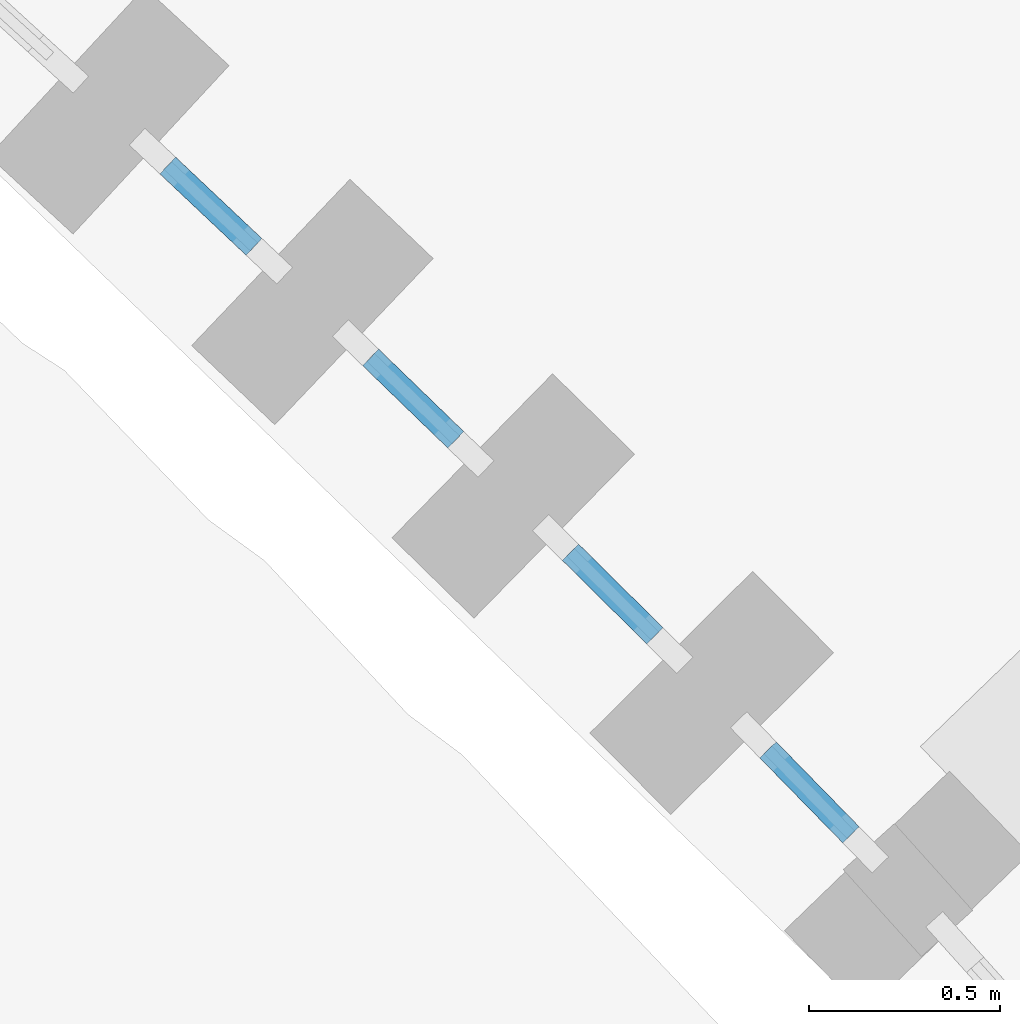
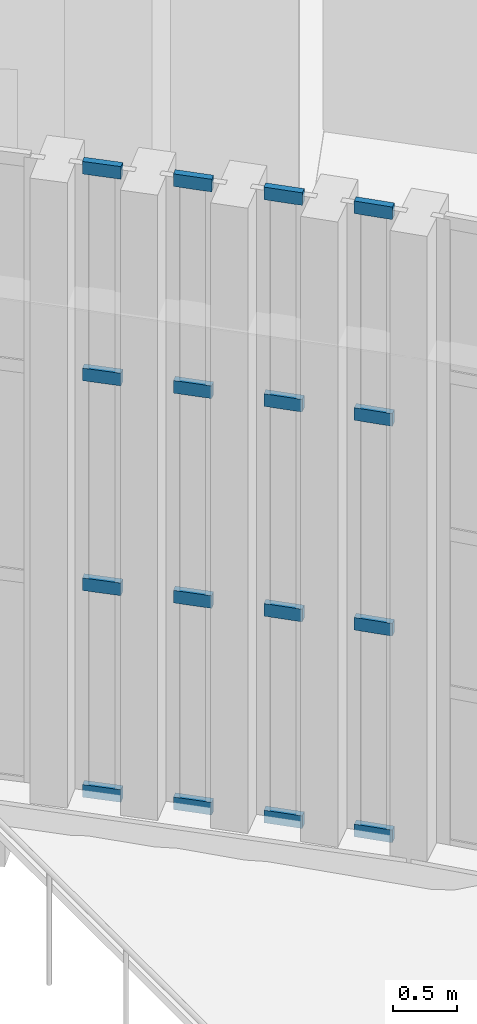
# One storey, part 65 of 155: 16 members, 4 elements without a shape of their own.
"""IFC4 building model written with IfcOpenShell, lengths in metres."""

from ifc_helpers import new_model, si_unit, direction, frame, origin, origin_2d, place, context, subcontext, project, spatial, rectangle, extrude, material, layer, layer_set, material_profile, profile_set, type_object, element, aggregate, save


model = new_model("IFC4")

# Units and contexts
model_context = context("Model", 3, precision=1e-05, world=origin(), true_north=direction((0.0, 1.0)))
body_context = subcontext(model_context, "Body", "Model", "MODEL_VIEW")
ifc_project = project(units=[si_unit("LENGTHUNIT", "METRE"), si_unit("AREAUNIT", "SQUARE_METRE"), si_unit("VOLUMEUNIT", "CUBIC_METRE"), si_unit("PLANEANGLEUNIT", "RADIAN"), si_unit("MASSUNIT", "GRAM", prefix="KILO")], contexts=[model_context])

# Site, building, storey
site_placement = place(None, origin())
site = spatial("IfcSite", under=ifc_project, at=site_placement, CompositionType="ELEMENT")
building_placement = place(site_placement, origin())
building = spatial("IfcBuilding", under=site, at=building_placement, Name="Lunette Opera House", CompositionType="ELEMENT")
storey_placement = place(building_placement, origin())
storey = spatial("IfcBuildingStorey", under=building, at=storey_placement, Name="L00", CompositionType="ELEMENT", Elevation=0.0)

# Curtain wall, members
ifc_material_1 = material(Name="Aluminium", Category="aluminium")
ifc_layer = layer(ifc_material_1, 0.1201171875)
ifc_layer_set = layer_set([ifc_layer], Name="Aluminium")
curtain_wall_type = type_object("IfcCurtainWallType", Name="SLOT CURTAIN WALL", PredefinedType="NOTDEFINED", material=ifc_layer_set)
curtain_wall_1_placement = place(storey_placement, origin())
curtain_wall_1 = element("IfcCurtainWall", 1, at=curtain_wall_1_placement, inside=storey, type_object=curtain_wall_type, Name="Slot Curtain Wall CS077 L00", PredefinedType="NOTDEFINED")
ifc_material_2 = material(Name="Aluminium", Category="aluminium")
ifc_material_profile = material_profile(ifc_material_2, rectangle(XDim=0.06005859375, YDim=0.1201171875, at=origin_2d()), Name="TRANSOM 60 X 120")
ifc_profile_set = profile_set([ifc_material_profile], Name="Aluminium")
member_type = type_object("IfcMemberType", Name="TRANSOM 60 X 120", PredefinedType="USERDEFINED", material=ifc_profile_set)
member_1_placement = place(storey_placement, frame((131.688720703125, 38.23095703125, 0.030029296875), z_axis=(0.727275036379, -0.686346138228, 0.0), x_axis=(0.686346138228, 0.727275036379, 0.0)))
member_1 = element("IfcMember", 2, at=member_1_placement, type_object=member_type, Name="FC-X2153 transom 1.1", ObjectType="TRANSOM", PredefinedType="USERDEFINED", context=body_context, shape_type="SweptSolid", body=[
    extrude(rectangle(XDim=0.06005859375, YDim=0.1201171875, at=origin_2d()), origin(), (0.0, 0.0, 1.0), 0.31005859375),
])
member_2_placement = place(storey_placement, frame((131.688720703125, 38.23095703125, 2.0), z_axis=(0.727275036379, -0.686346138228, 0.0), x_axis=(0.686346138228, 0.727275036379, 0.0)))
member_2 = element("IfcMember", 3, at=member_2_placement, type_object=member_type, Name="FC-X2153 transom 1.2", ObjectType="TRANSOM", PredefinedType="USERDEFINED", context=body_context, shape_type="SweptSolid", body=[
    extrude(rectangle(XDim=0.06005859375, YDim=0.1201171875, at=origin_2d()), origin(), (0.0, 0.0, 1.0), 0.31005859375),
])
member_3_placement = place(storey_placement, frame((131.688720703125, 38.23095703125, 4.0), z_axis=(0.727275036379, -0.686346138228, 0.0), x_axis=(0.686346138228, 0.727275036379, 0.0)))
member_3 = element("IfcMember", 4, at=member_3_placement, type_object=member_type, Name="FC-X2153 transom 1.3", ObjectType="TRANSOM", PredefinedType="USERDEFINED", context=body_context, shape_type="SweptSolid", body=[
    extrude(rectangle(XDim=0.06005859375, YDim=0.1201171875, at=origin_2d()), origin(), (0.0, 0.0, 1.0), 0.31005859375),
])
member_4_placement = place(storey_placement, frame((131.688720703125, 38.23095703125, 5.969970703125), z_axis=(0.727275036379, -0.686346138228, 0.0), x_axis=(0.686346138228, 0.727275036379, 0.0)))
member_4 = element("IfcMember", 5, at=member_4_placement, type_object=member_type, Name="FC-X2153 transom 1.4", ObjectType="TRANSOM", PredefinedType="USERDEFINED", context=body_context, shape_type="SweptSolid", body=[
    extrude(rectangle(XDim=0.06005859375, YDim=0.1201171875, at=origin_2d()), origin(), (0.0, 0.0, 1.0), 0.31005859375),
])
aggregate(curtain_wall_1, [member_1, member_2, member_3, member_4])

curtain_wall_2_placement = place(storey_placement, origin())
curtain_wall_2 = element("IfcCurtainWall", 6, at=curtain_wall_2_placement, inside=storey, type_object=curtain_wall_type, Name="Slot Curtain Wall CS078 L00", PredefinedType="NOTDEFINED")
member_5_placement = place(storey_placement, frame((132.21923828125, 37.729248046875, 0.030029296875), z_axis=(0.71843703481, -0.695591997519, 0.0), x_axis=(0.695591997519, 0.71843703481, 0.0)))
member_5 = element("IfcMember", 7, at=member_5_placement, type_object=member_type, Name="FC-X2155 transom 1.1", ObjectType="TRANSOM", PredefinedType="USERDEFINED", context=body_context, shape_type="SweptSolid", body=[
    extrude(rectangle(XDim=0.06005859375, YDim=0.1201171875, at=origin_2d()), origin(), (0.0, 0.0, 1.0), 0.309814453125),
])
member_6_placement = place(storey_placement, frame((132.21923828125, 37.729248046875, 2.0), z_axis=(0.71843703481, -0.695591997519, 0.0), x_axis=(0.695591997519, 0.71843703481, 0.0)))
member_6 = element("IfcMember", 8, at=member_6_placement, type_object=member_type, Name="FC-X2155 transom 1.2", ObjectType="TRANSOM", PredefinedType="USERDEFINED", context=body_context, shape_type="SweptSolid", body=[
    extrude(rectangle(XDim=0.06005859375, YDim=0.1201171875, at=origin_2d()), origin(), (0.0, 0.0, 1.0), 0.309814453125),
])
member_7_placement = place(storey_placement, frame((132.21923828125, 37.729248046875, 4.0), z_axis=(0.71843703481, -0.695591997519, 0.0), x_axis=(0.695591997519, 0.71843703481, 0.0)))
member_7 = element("IfcMember", 9, at=member_7_placement, type_object=member_type, Name="FC-X2155 transom 1.3", ObjectType="TRANSOM", PredefinedType="USERDEFINED", context=body_context, shape_type="SweptSolid", body=[
    extrude(rectangle(XDim=0.06005859375, YDim=0.1201171875, at=origin_2d()), origin(), (0.0, 0.0, 1.0), 0.309814453125),
])
member_8_placement = place(storey_placement, frame((132.21923828125, 37.729248046875, 5.969970703125), z_axis=(0.71843703481, -0.695591997519, 0.0), x_axis=(0.695591997519, 0.71843703481, 0.0)))
member_8 = element("IfcMember", 10, at=member_8_placement, type_object=member_type, Name="FC-X2155 transom 1.4", ObjectType="TRANSOM", PredefinedType="USERDEFINED", context=body_context, shape_type="SweptSolid", body=[
    extrude(rectangle(XDim=0.06005859375, YDim=0.1201171875, at=origin_2d()), origin(), (0.0, 0.0, 1.0), 0.309814453125),
])
aggregate(curtain_wall_2, [member_5, member_6, member_7, member_8])

curtain_wall_3_placement = place(storey_placement, origin())
curtain_wall_3 = element("IfcCurtainWall", 11, at=curtain_wall_3_placement, inside=storey, type_object=curtain_wall_type, Name="Slot Curtain Wall CS079 L00", PredefinedType="NOTDEFINED")
member_9_placement = place(storey_placement, frame((132.74169921875, 37.2197265625, 0.030029296875), z_axis=(0.710635387605, -0.703560477773, 0.0), x_axis=(0.703560477773, 0.710635387605, 0.0)))
member_9 = element("IfcMember", 12, at=member_9_placement, type_object=member_type, Name="FC-X2157 transom 1.1", ObjectType="TRANSOM", PredefinedType="USERDEFINED", context=body_context, shape_type="SweptSolid", body=[
    extrude(rectangle(XDim=0.06005859375, YDim=0.1201171875, at=origin_2d()), origin(), (0.0, 0.0, 1.0), 0.310546875),
])
member_10_placement = place(storey_placement, frame((132.74169921875, 37.2197265625, 2.0), z_axis=(0.710635387605, -0.703560477773, 0.0), x_axis=(0.703560477773, 0.710635387605, 0.0)))
member_10 = element("IfcMember", 13, at=member_10_placement, type_object=member_type, Name="FC-X2157 transom 1.2", ObjectType="TRANSOM", PredefinedType="USERDEFINED", context=body_context, shape_type="SweptSolid", body=[
    extrude(rectangle(XDim=0.06005859375, YDim=0.1201171875, at=origin_2d()), origin(), (0.0, 0.0, 1.0), 0.310546875),
])
member_11_placement = place(storey_placement, frame((132.74169921875, 37.2197265625, 4.0), z_axis=(0.710635387605, -0.703560477773, 0.0), x_axis=(0.703560477773, 0.710635387605, 0.0)))
member_11 = element("IfcMember", 14, at=member_11_placement, type_object=member_type, Name="FC-X2157 transom 1.3", ObjectType="TRANSOM", PredefinedType="USERDEFINED", context=body_context, shape_type="SweptSolid", body=[
    extrude(rectangle(XDim=0.06005859375, YDim=0.1201171875, at=origin_2d()), origin(), (0.0, 0.0, 1.0), 0.310546875),
])
member_12_placement = place(storey_placement, frame((132.74169921875, 37.2197265625, 5.969970703125), z_axis=(0.710635387605, -0.703560477773, 0.0), x_axis=(0.703560477773, 0.710635387605, 0.0)))
member_12 = element("IfcMember", 15, at=member_12_placement, type_object=member_type, Name="FC-X2157 transom 1.4", ObjectType="TRANSOM", PredefinedType="USERDEFINED", context=body_context, shape_type="SweptSolid", body=[
    extrude(rectangle(XDim=0.06005859375, YDim=0.1201171875, at=origin_2d()), origin(), (0.0, 0.0, 1.0), 0.310546875),
])
aggregate(curtain_wall_3, [member_9, member_10, member_11, member_12])

curtain_wall_4_placement = place(storey_placement, origin())
curtain_wall_4 = element("IfcCurtainWall", 16, at=curtain_wall_4_placement, inside=storey, type_object=curtain_wall_type, Name="Slot Curtain Wall CS080 L00", PredefinedType="NOTDEFINED")
member_13_placement = place(storey_placement, frame((133.258056640625, 36.703125, 0.030029296875), z_axis=(0.698805007599, -0.715312212502, 0.0), x_axis=(0.715312212502, 0.698805007599, 0.0)))
member_13 = element("IfcMember", 17, at=member_13_placement, type_object=member_type, Name="FC-X2159 transom 1.1", ObjectType="TRANSOM", PredefinedType="USERDEFINED", context=body_context, shape_type="SweptSolid", body=[
    extrude(rectangle(XDim=0.06005859375, YDim=0.1201171875, at=origin_2d()), origin(), (0.0, 0.0, 1.0), 0.310546875),
])
member_14_placement = place(storey_placement, frame((133.258056640625, 36.703125, 2.0), z_axis=(0.698805007599, -0.715312212502, 0.0), x_axis=(0.715312212502, 0.698805007599, 0.0)))
member_14 = element("IfcMember", 18, at=member_14_placement, type_object=member_type, Name="FC-X2159 transom 1.2", ObjectType="TRANSOM", PredefinedType="USERDEFINED", context=body_context, shape_type="SweptSolid", body=[
    extrude(rectangle(XDim=0.06005859375, YDim=0.1201171875, at=origin_2d()), origin(), (0.0, 0.0, 1.0), 0.310546875),
])
member_15_placement = place(storey_placement, frame((133.258056640625, 36.703125, 4.0), z_axis=(0.698805007599, -0.715312212502, 0.0), x_axis=(0.715312212502, 0.698805007599, 0.0)))
member_15 = element("IfcMember", 19, at=member_15_placement, type_object=member_type, Name="FC-X2159 transom 1.3", ObjectType="TRANSOM", PredefinedType="USERDEFINED", context=body_context, shape_type="SweptSolid", body=[
    extrude(rectangle(XDim=0.06005859375, YDim=0.1201171875, at=origin_2d()), origin(), (0.0, 0.0, 1.0), 0.310546875),
])
member_16_placement = place(storey_placement, frame((133.258056640625, 36.703125, 5.969970703125), z_axis=(0.698805007599, -0.715312212502, 0.0), x_axis=(0.715312212502, 0.698805007599, 0.0)))
member_16 = element("IfcMember", 20, at=member_16_placement, type_object=member_type, Name="FC-X2159 transom 1.4", ObjectType="TRANSOM", PredefinedType="USERDEFINED", context=body_context, shape_type="SweptSolid", body=[
    extrude(rectangle(XDim=0.06005859375, YDim=0.1201171875, at=origin_2d()), origin(), (0.0, 0.0, 1.0), 0.310546875),
])
aggregate(curtain_wall_4, [member_13, member_14, member_15, member_16])

save(model, "model.ifc")
